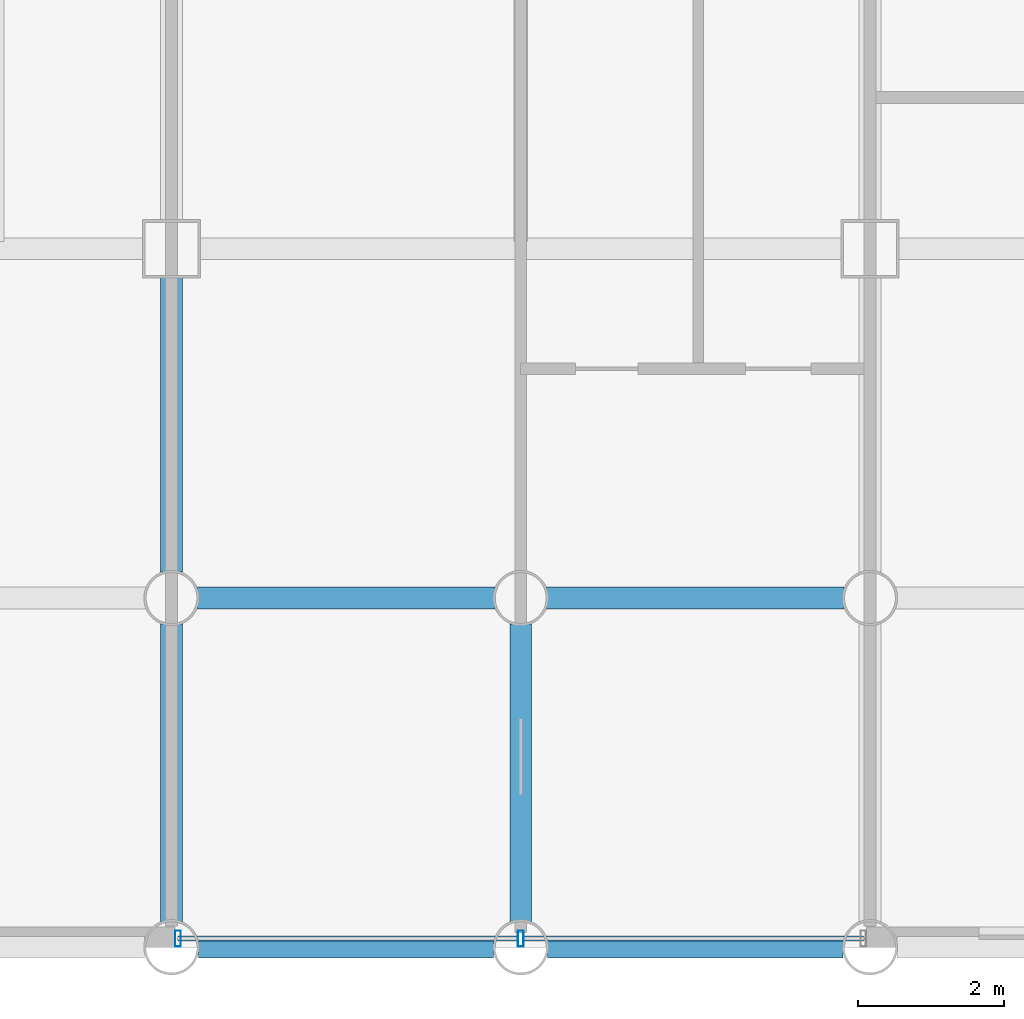
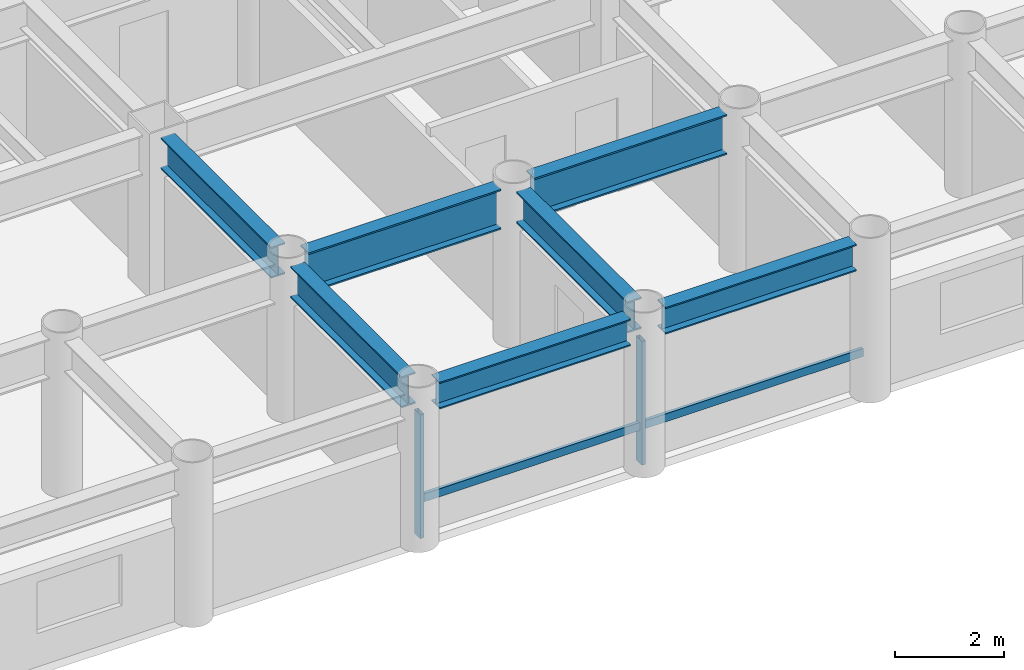
# One storey, part 2 of 20: 7 beams, 4 members, 1 element without a shape of its own.
"""IFC4 building model written with IfcOpenShell, lengths in metres."""

from ifc_helpers import new_model, si_unit, direction, frame, origin, origin_2d, place, context, subcontext, project, spatial, hollow_rectangle, i_section, extrude, material, layer, layer_set, material_profile, profile_set, type_object, element, aggregate, save


model = new_model("IFC4")

# Units and contexts
model_context = context("Model", 3, precision=1e-05, world=origin(), true_north=direction((0.0, 1.0)))
body_context = subcontext(model_context, "Body", "Model", "MODEL_VIEW")
ifc_project = project(units=[si_unit("LENGTHUNIT", "METRE"), si_unit("AREAUNIT", "SQUARE_METRE"), si_unit("VOLUMEUNIT", "CUBIC_METRE"), si_unit("PLANEANGLEUNIT", "RADIAN"), si_unit("MASSUNIT", "GRAM", prefix="KILO")], contexts=[model_context])

# Site, building, storey
site_placement = place(None, origin())
site = spatial("IfcSite", under=ifc_project, at=site_placement, CompositionType="ELEMENT")
building_placement = place(site_placement, origin())
building = spatial("IfcBuilding", under=site, at=building_placement, Name="Kallvorn Hotel Tower", CompositionType="ELEMENT")
storey_placement = place(building_placement, frame((0.0, 0.0, 70.699951171875)))
storey = spatial("IfcBuildingStorey", under=building, at=storey_placement, Name="L16", CompositionType="ELEMENT", Elevation=70.699951171875)

# Beams
ifc_material_1 = material(Name="Structural steel S355JR", Category="steel")
ifc_material_profile_1 = material_profile(ifc_material_1, i_section(OverallWidth=0.300048828125, OverallDepth=0.60009765625, WebThickness=0.015380859375, FlangeThickness=0.030029296875, at=origin_2d()), Name="HE 600 B")
ifc_profile_set_1 = profile_set([ifc_material_profile_1], Name="Structural steel S355JR")
beam_type_1 = type_object("IfcBeamType", Name="BM_HE600B", PredefinedType="SPANDREL", material=ifc_profile_set_1)
for number, where, z_axis, x_axis, name in (
    (1, (-4.428955078125, -24.0, 3.219970703125), (1.0, 0.0, 0.0), (0.0, 1.0, 0.0), "L17 Perimeter Spandrel 155"),
    (2, (0.37109375, -24.0, 3.219970703125), (1.0, 0.0, 0.0), (0.0, 1.0, 0.0), "L17 Perimeter Spandrel 156"),
):
    element("IfcBeam", number, at=place(storey_placement, frame(where, z_axis=z_axis, x_axis=x_axis)), inside=storey, type_object=beam_type_1, Name=name, PredefinedType="SPANDREL", context=body_context, shape_type="SweptSolid", body=[
        extrude(i_section(OverallWidth=0.300048828125, OverallDepth=0.60009765625, WebThickness=0.015380859375, FlangeThickness=0.030029296875, at=origin_2d()), origin(), (0.0, 0.0, 1.0), 4.057861328125),
    ])
ifc_material_2 = material(Name="Structural steel S355JR", Category="steel")
ifc_material_profile_2 = material_profile(ifc_material_2, i_section(OverallWidth=0.300048828125, OverallDepth=0.699951171875, WebThickness=0.01708984375, FlangeThickness=0.031982421875, at=origin_2d()), Name="HE 700 B")
ifc_profile_set_2 = profile_set([ifc_material_profile_2], Name="Structural steel S355JR")
beam_type_2 = type_object("IfcBeamType", Name="BM_HE700B", PredefinedType="BEAM", material=ifc_profile_set_2)
beam_1_placement = place(storey_placement, frame((-4.800048828125, -23.64404296875, 3.170166015625), z_axis=(0.0, 1.0, 0.0), x_axis=(-1.0, 0.0, 0.0)))
element("IfcBeam", 3, at=beam_1_placement, inside=storey, type_object=beam_type_2, Name="L17 Primary Y-Girder 105", PredefinedType="BEAM", context=body_context, shape_type="SweptSolid", body=[
    extrude(i_section(OverallWidth=0.300048828125, OverallDepth=0.699951171875, WebThickness=0.01708984375, FlangeThickness=0.031982421875, at=origin_2d()), origin(), (0.0, 0.0, 1.0), 4.088134765625),
])
beam_2_placement = place(storey_placement, frame((-4.800048828125, -18.843994140625, 3.170166015625), z_axis=(0.0, 1.0, 0.0), x_axis=(-1.0, 0.0, 0.0)))
element("IfcBeam", 4, at=beam_2_placement, inside=storey, type_object=beam_type_2, Name="L17 Primary Y-Girder 106", PredefinedType="BEAM", context=body_context, shape_type="SweptSolid", body=[
    extrude(i_section(OverallWidth=0.300048828125, OverallDepth=0.699951171875, WebThickness=0.01708984375, FlangeThickness=0.031982421875, at=origin_2d()), origin(), (0.0, 0.0, 1.0), 4.069091796875),
])
beam_3_placement = place(storey_placement, frame((0.0, -23.64404296875, 3.170166015625), z_axis=(0.0, 1.0, 0.0), x_axis=(-1.0, 0.0, 0.0)))
element("IfcBeam", 5, at=beam_3_placement, inside=storey, type_object=beam_type_2, Name="L17 Primary Y-Girder 110", PredefinedType="BEAM", context=body_context, shape_type="SweptSolid", body=[
    extrude(i_section(OverallWidth=0.300048828125, OverallDepth=0.699951171875, WebThickness=0.01708984375, FlangeThickness=0.031982421875, at=origin_2d()), origin(), (0.0, 0.0, 1.0), 4.088134765625),
])
ifc_material_3 = material(Name="Structural steel S355JR", Category="steel")
ifc_material_profile_3 = material_profile(ifc_material_3, i_section(OverallWidth=0.300048828125, OverallDepth=0.89990234375, WebThickness=0.0185546875, FlangeThickness=0.034912109375, at=origin_2d()), Name="HE 900 B")
ifc_profile_set_3 = profile_set([ifc_material_profile_3], Name="Structural steel S355JR")
beam_type_3 = type_object("IfcBeamType", Name="BM_HE900B", PredefinedType="BEAM", material=ifc_profile_set_3)
for number, where, z_axis, x_axis, name in (
    (6, (-4.444091796875, -19.199951171875, 3.070068359375), (1.0, 0.0, 0.0), (0.0, 1.0, 0.0), "L17 Primary X-Girder 06"),
    (7, (0.35595703125, -19.199951171875, 3.070068359375), (1.0, 0.0, 0.0), (0.0, 1.0, 0.0), "L17 Primary X-Girder 07"),
):
    element("IfcBeam", number, at=place(storey_placement, frame(where, z_axis=z_axis, x_axis=x_axis)), inside=storey, type_object=beam_type_3, Name=name, PredefinedType="BEAM", context=body_context, shape_type="SweptSolid", body=[
        extrude(i_section(OverallWidth=0.300048828125, OverallDepth=0.89990234375, WebThickness=0.0185546875, FlangeThickness=0.034912109375, at=origin_2d()), origin(), (0.0, 0.0, 1.0), 4.088134765625),
    ])

# Curtain wall, members
ifc_material_4 = material(Name="Thermally broken black-anodised aluminium AA 6063-T6", Category="aluminium")
ifc_layer = layer(ifc_material_4, 0.199951171875)
ifc_layer_set = layer_set([ifc_layer], Name="CW_SYS_3_HOTEL_LOW")
curtain_wall_type = type_object("IfcCurtainWallType", Name="CW_SYS_3_HOTEL_LOW", PredefinedType="USERDEFINED", material=ifc_layer_set)
curtain_wall_placement = place(storey_placement, origin())
curtain_wall = element("IfcCurtainWall", 8, at=curtain_wall_placement, inside=storey, type_object=curtain_wall_type, Name="L16 Dark-Glass Curtain Wall CW-L16-SC", ObjectType="UNITISED CURTAIN WALL", PredefinedType="USERDEFINED")
ifc_material_5 = material(Name="Thermally broken black-anodised aluminium AA 6063-T6", Category="aluminium")
ifc_material_profile_4 = material_profile(ifc_material_5, hollow_rectangle(XDim=0.080078125, YDim=0.219970703125, WallThickness=0.0048828125, at=origin_2d()), Name="MUL 220x80")
ifc_profile_set_4 = profile_set([ifc_material_profile_4], Name="Thermally broken black-anodised aluminium AA 6063-T6")
member_type_1 = type_object("IfcMemberType", Name="CW_MULLION_220x80", PredefinedType="MULLION", material=ifc_profile_set_4)
member_1_placement = place(storey_placement, frame((-4.7099609375, -23.8798828125, 0.02001953125), z_axis=(0.0, 0.0, 1.0), x_axis=(1.0, 0.0, 0.0)))
member_1 = element("IfcMember", 9, at=member_1_placement, type_object=member_type_1, Name="CW-L16-SC Mullion 00", PredefinedType="MULLION", context=body_context, shape_type="SweptSolid", body=[
    extrude(hollow_rectangle(XDim=0.080078125, YDim=0.219970703125, WallThickness=0.0048828125, at=origin_2d()), origin(), (0.0, 0.0, 1.0), 2.780029296875),
])
member_2_placement = place(storey_placement, frame((0.0, -23.8798828125, 0.02001953125), z_axis=(0.0, 0.0, 1.0), x_axis=(1.0, 0.0, 0.0)))
member_2 = element("IfcMember", 10, at=member_2_placement, type_object=member_type_1, Name="CW-L16-SC Mullion 01", PredefinedType="MULLION", context=body_context, shape_type="SweptSolid", body=[
    extrude(hollow_rectangle(XDim=0.080078125, YDim=0.219970703125, WallThickness=0.0048828125, at=origin_2d()), origin(), (0.0, 0.0, 1.0), 2.780029296875),
])
ifc_material_6 = material(Name="Thermally broken black-anodised aluminium AA 6063-T6", Category="aluminium")
ifc_material_profile_5 = material_profile(ifc_material_6, hollow_rectangle(XDim=0.070068359375, YDim=0.179931640625, WallThickness=0.00390625, at=origin_2d()), Name="TRN 180x70")
ifc_profile_set_5 = profile_set([ifc_material_profile_5], Name="Thermally broken black-anodised aluminium AA 6063-T6")
member_type_2 = type_object("IfcMemberType", Name="CW_TRANSOM_180x70", PredefinedType="USERDEFINED", material=ifc_profile_set_5)
member_3_placement = place(storey_placement, frame((-4.7099609375, -23.8798828125, 0.85009765625), z_axis=(1.0, 0.0, 0.0), x_axis=(0.0, 1.0, 0.0)))
member_3 = element("IfcMember", 11, at=member_3_placement, type_object=member_type_2, Name="CW-L16-SC Transom 00M", ObjectType="TRANSOM", PredefinedType="USERDEFINED", context=body_context, shape_type="SweptSolid", body=[
    extrude(hollow_rectangle(XDim=0.070068359375, YDim=0.179931640625, WallThickness=0.00390625, at=origin_2d()), origin(), (0.0, 0.0, 1.0), 4.669921875),
])
member_4_placement = place(storey_placement, frame((0.0400390625, -23.8798828125, 0.85009765625), z_axis=(1.0, 0.0, 0.0), x_axis=(0.0, 1.0, 0.0)))
member_4 = element("IfcMember", 12, at=member_4_placement, type_object=member_type_2, Name="CW-L16-SC Transom 01M", ObjectType="TRANSOM", PredefinedType="USERDEFINED", context=body_context, shape_type="SweptSolid", body=[
    extrude(hollow_rectangle(XDim=0.070068359375, YDim=0.179931640625, WallThickness=0.00390625, at=origin_2d()), origin(), (0.0, 0.0, 1.0), 4.669921875),
])
aggregate(curtain_wall, [member_1, member_2, member_3, member_4])

save(model, "model.ifc")
